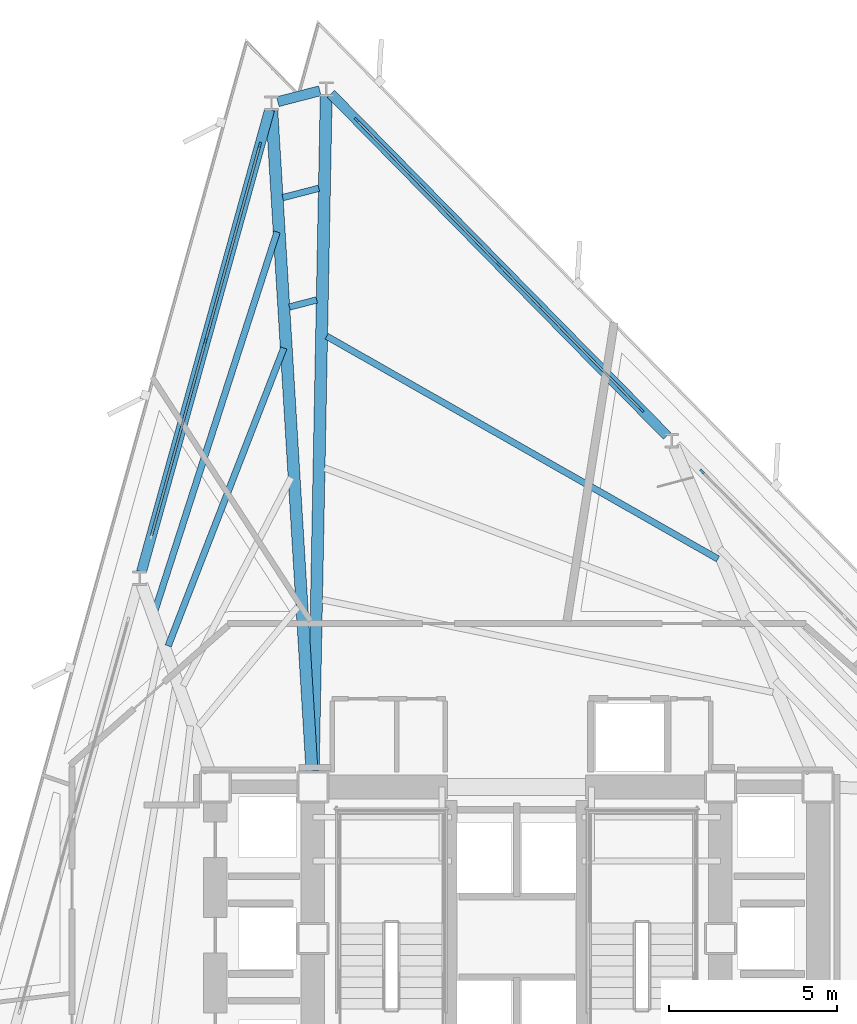
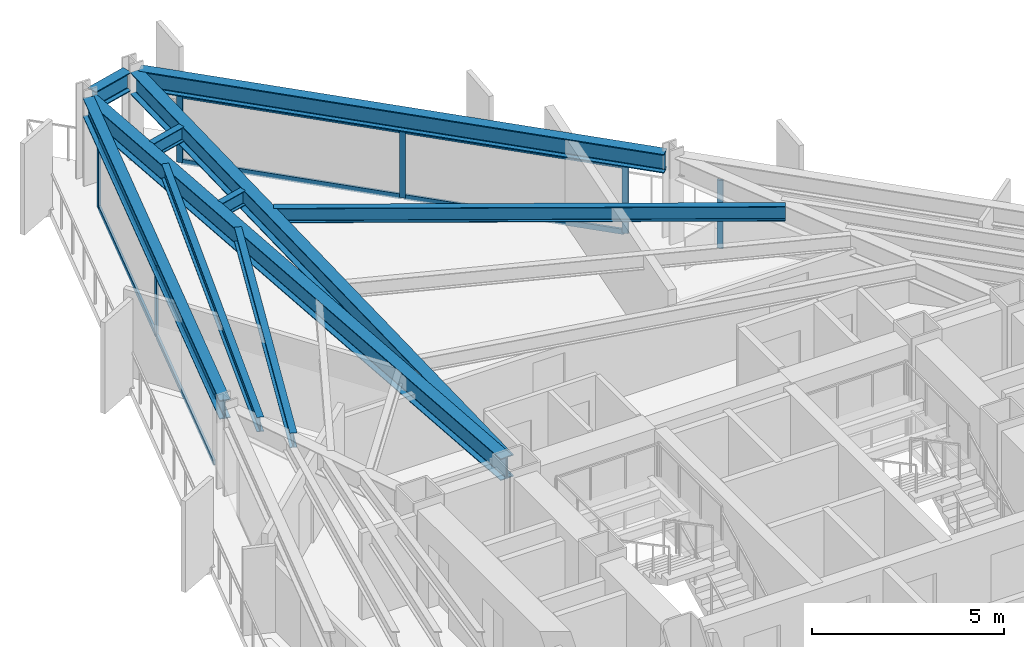
# One storey, part 5 of 11: 14 members, 10 beams, 3 elements without a shape of their own.
"""IFC4 building model written with IfcOpenShell, lengths in metres."""

from ifc_helpers import new_model, si_unit, direction, frame, origin, origin_2d, place, context, subcontext, project, spatial, rectangle, i_section, extrude, material, layer, layer_set, material_profile, profile_set, type_object, element, aggregate, save


model = new_model("IFC4")

# Units and contexts
model_context = context("Model", 3, precision=1e-05, world=origin(), true_north=direction((0.0, 1.0)))
body_context = subcontext(model_context, "Body", "Model", "MODEL_VIEW")
ifc_project = project(units=[si_unit("LENGTHUNIT", "METRE"), si_unit("AREAUNIT", "SQUARE_METRE"), si_unit("VOLUMEUNIT", "CUBIC_METRE"), si_unit("PLANEANGLEUNIT", "RADIAN"), si_unit("MASSUNIT", "GRAM", prefix="KILO")], contexts=[model_context])

# Site, building, storey
site_placement = place(None, origin())
site = spatial("IfcSite", under=ifc_project, at=site_placement, CompositionType="ELEMENT")
building_placement = place(site_placement, origin())
building = spatial("IfcBuilding", under=site, at=building_placement, Name="Rocaltana Carrier Exchange", CompositionType="ELEMENT")
storey_placement = place(building_placement, frame((0.0, 0.0, 94.719970703125)))
storey = spatial("IfcBuildingStorey", under=building, at=storey_placement, Name="L29", CompositionType="ELEMENT", Elevation=94.719970703125)

# Curtain wall, member
ifc_material_1 = material(Name="Aluminium 6063-T6", Category="aluminium")
ifc_layer = layer(ifc_material_1, 0.1650390625)
ifc_layer_set = layer_set([ifc_layer], Name="Aluminium 6063-T6")
curtain_wall_type = type_object("IfcCurtainWallType", Name="Lower-Mid Stepped Curtain Wall CW-02", PredefinedType="NOTDEFINED", material=ifc_layer_set)
curtain_wall_1_placement = place(storey_placement, origin())
curtain_wall_1 = element("IfcCurtainWall", 1, at=curtain_wall_1_placement, inside=storey, type_object=curtain_wall_type, Name="L29 CW-02 Run CW-L29-F1S2", PredefinedType="NOTDEFINED")
ifc_material_2 = material(Name="Aluminium 6063-T6", Category="aluminium")
ifc_material_profile_1 = material_profile(ifc_material_2, rectangle(XDim=0.06494140625, YDim=0.1650390625, at=origin_2d()), Name="AL-65X165")
ifc_profile_set_1 = profile_set([ifc_material_profile_1], Name="Aluminium 6063-T6")
member_type_1 = type_object("IfcMemberType", Name="CW-02 Mullion AL-65X165", PredefinedType="MULLION", material=ifc_profile_set_1)
member_1_placement = place(storey_placement, frame((5.503173828125, 13.8681640625, 0.0), z_axis=(0.0, 0.0, 1.0), x_axis=(-0.713244696676, -0.700915118017, 0.0)))
member_1 = element("IfcMember", 2, at=member_1_placement, type_object=member_type_1, Name="CW-02 mullion 3", PredefinedType="MULLION", context=body_context, shape_type="SweptSolid", body=[
    extrude(rectangle(XDim=0.06494140625, YDim=0.1650390625, at=origin_2d()), origin(), (0.0, 0.0, 1.0), 2.16796875),
])
aggregate(curtain_wall_1, [member_1])

# Curtain wall, members
curtain_wall_2_placement = place(storey_placement, origin())
curtain_wall_2 = element("IfcCurtainWall", 3, at=curtain_wall_2_placement, inside=storey, type_object=curtain_wall_type, Name="L29 CW-02 Run CW-L29-F1S3", PredefinedType="NOTDEFINED")
member_2_placement = place(storey_placement, frame((3.70556640625, 15.69775390625, 0.0), z_axis=(0.0, 0.0, 1.0), x_axis=(-0.713244767898, -0.700915045542, 0.0)))
member_2 = element("IfcMember", 4, at=member_2_placement, type_object=member_type_1, Name="CW-02 mullion 1", PredefinedType="MULLION", context=body_context, shape_type="SweptSolid", body=[
    extrude(rectangle(XDim=0.06494140625, YDim=0.1650390625, at=origin_2d()), origin(), (0.0, 0.0, 1.0), 2.16796875),
])
member_3_placement = place(storey_placement, frame((-0.52392578125, 20.001708984375, 0.0), z_axis=(0.0, 0.0, 1.0), x_axis=(-0.713244767898, -0.700915045542, 0.0)))
member_3 = element("IfcMember", 5, at=member_3_placement, type_object=member_type_1, Name="CW-02 mullion 2", PredefinedType="MULLION", context=body_context, shape_type="SweptSolid", body=[
    extrude(rectangle(XDim=0.06494140625, YDim=0.1650390625, at=origin_2d()), origin(), (0.0, 0.0, 1.0), 2.16796875),
])
member_4_placement = place(storey_placement, frame((-4.75341796875, 24.305419921875, 0.0), z_axis=(0.0, 0.0, 1.0), x_axis=(-0.713244767898, -0.700915045542, 0.0)))
member_4 = element("IfcMember", 6, at=member_4_placement, type_object=member_type_1, Name="CW-02 mullion 3", PredefinedType="MULLION", context=body_context, shape_type="SweptSolid", body=[
    extrude(rectangle(XDim=0.06494140625, YDim=0.1650390625, at=origin_2d()), origin(), (0.0, 0.0, 1.0), 2.16796875),
])

curtain_wall_3_placement = place(storey_placement, origin())
curtain_wall_3 = element("IfcCurtainWall", 7, at=curtain_wall_3_placement, inside=storey, type_object=curtain_wall_type, Name="L29 CW-02 Run CW-L29-F2S1", PredefinedType="NOTDEFINED")
member_5_placement = place(storey_placement, frame((-7.626220703125, 23.5625, 0.0), z_axis=(0.0, 0.0, 1.0), x_axis=(0.96362846453, -0.267245546918, 0.0)))
member_5 = element("IfcMember", 8, at=member_5_placement, type_object=member_type_1, Name="CW-02 mullion 1", PredefinedType="MULLION", context=body_context, shape_type="SweptSolid", body=[
    extrude(rectangle(XDim=0.06494140625, YDim=0.1650390625, at=origin_2d()), origin(), (0.0, 0.0, 1.0), 2.16796875),
])
member_6_placement = place(storey_placement, frame((-9.23876953125, 17.747802734375, 0.0), z_axis=(0.0, 0.0, 1.0), x_axis=(0.96362846453, -0.267245546918, 0.0)))
member_6 = element("IfcMember", 9, at=member_6_placement, type_object=member_type_1, Name="CW-02 mullion 2", PredefinedType="MULLION", context=body_context, shape_type="SweptSolid", body=[
    extrude(rectangle(XDim=0.06494140625, YDim=0.1650390625, at=origin_2d()), origin(), (0.0, 0.0, 1.0), 2.16796875),
])

# Member
ifc_material_3 = material(Name="Aluminium 6063-T6", Category="aluminium")
ifc_material_profile_2 = material_profile(ifc_material_3, rectangle(XDim=0.06494140625, YDim=0.1650390625, at=origin_2d()), Name="AL-65X165")
ifc_profile_set_2 = profile_set([ifc_material_profile_2], Name="Aluminium 6063-T6")
member_type_2 = type_object("IfcMemberType", Name="CW-02 Transom AL-65X165", PredefinedType="USERDEFINED", material=ifc_profile_set_2)
member_7_placement = place(storey_placement, frame((3.682861328125, 15.720947265625, 0.032470703125), z_axis=(-0.700924711343, 0.713235269058, 0.0), x_axis=(-0.713235269058, -0.700924711343, 0.0)))
member_7 = element("IfcMember", 10, at=member_7_placement, type_object=member_type_2, Name="CW-02 transom 1.1", ObjectType="TRANSOM", PredefinedType="USERDEFINED", context=body_context, shape_type="SweptSolid", body=[
    extrude(rectangle(XDim=0.06494140625, YDim=0.1650390625, at=origin_2d()), origin(), (0.0, 0.0, 1.0), 5.969482421875),
])

member_8_placement = place(storey_placement, frame((3.682861328125, 15.720947265625, 2.135498046875), z_axis=(-0.700924711343, 0.713235269058, 0.0), x_axis=(-0.713235269058, -0.700924711343, 0.0)))
member_8 = element("IfcMember", 11, at=member_8_placement, type_object=member_type_2, Name="CW-02 transom 1.2", ObjectType="TRANSOM", PredefinedType="USERDEFINED", context=body_context, shape_type="SweptSolid", body=[
    extrude(rectangle(XDim=0.06494140625, YDim=0.1650390625, at=origin_2d()), origin(), (0.0, 0.0, 1.0), 5.969482421875),
])

member_9_placement = place(storey_placement, frame((-0.546630859375, 20.02490234375, 0.032470703125), z_axis=(-0.700924352217, 0.713235621985, 0.0), x_axis=(-0.713235621985, -0.700924352217, 0.0)))
member_9 = element("IfcMember", 12, at=member_9_placement, type_object=member_type_2, Name="CW-02 transom 2.1", ObjectType="TRANSOM", PredefinedType="USERDEFINED", context=body_context, shape_type="SweptSolid", body=[
    extrude(rectangle(XDim=0.06494140625, YDim=0.1650390625, at=origin_2d()), origin(), (0.0, 0.0, 1.0), 5.968994140625),
])

member_10_placement = place(storey_placement, frame((-0.546630859375, 20.02490234375, 2.135498046875), z_axis=(-0.700924352217, 0.713235621985, 0.0), x_axis=(-0.713235621985, -0.700924352217, 0.0)))
member_10 = element("IfcMember", 13, at=member_10_placement, type_object=member_type_2, Name="CW-02 transom 2.2", ObjectType="TRANSOM", PredefinedType="USERDEFINED", context=body_context, shape_type="SweptSolid", body=[
    extrude(rectangle(XDim=0.06494140625, YDim=0.1650390625, at=origin_2d()), origin(), (0.0, 0.0, 1.0), 5.968994140625),
])

aggregate(curtain_wall_2, [member_2, member_3, member_4, member_7, member_8, member_9, member_10])

member_11_placement = place(storey_placement, frame((-7.634765625, 23.53125, 0.032470703125), z_axis=(-0.267274698809, -0.963620379287, 0.0), x_axis=(0.963620379287, -0.267274698809, 0.0)))
member_11 = element("IfcMember", 14, at=member_11_placement, type_object=member_type_2, Name="CW-02 transom 1.1", ObjectType="TRANSOM", PredefinedType="USERDEFINED", context=body_context, shape_type="SweptSolid", body=[
    extrude(rectangle(XDim=0.06494140625, YDim=0.1650390625, at=origin_2d()), origin(), (0.0, 0.0, 1.0), 5.96923828125),
])

member_12_placement = place(storey_placement, frame((-7.634765625, 23.53125, 2.135498046875), z_axis=(-0.267274698809, -0.963620379287, 0.0), x_axis=(0.963620379287, -0.267274698809, 0.0)))
member_12 = element("IfcMember", 15, at=member_12_placement, type_object=member_type_2, Name="CW-02 transom 1.2", ObjectType="TRANSOM", PredefinedType="USERDEFINED", context=body_context, shape_type="SweptSolid", body=[
    extrude(rectangle(XDim=0.06494140625, YDim=0.1650390625, at=origin_2d()), origin(), (0.0, 0.0, 1.0), 5.96923828125),
])

member_13_placement = place(storey_placement, frame((-9.24755859375, 17.716552734375, 0.032470703125), z_axis=(-0.267236720875, -0.963630912235, 0.0), x_axis=(0.963630912235, -0.267236720875, 0.0)))
member_13 = element("IfcMember", 16, at=member_13_placement, type_object=member_type_2, Name="CW-02 transom 2.1", ObjectType="TRANSOM", PredefinedType="USERDEFINED", context=body_context, shape_type="SweptSolid", body=[
    extrude(rectangle(XDim=0.06494140625, YDim=0.1650390625, at=origin_2d()), origin(), (0.0, 0.0, 1.0), 5.96923828125),
])

member_14_placement = place(storey_placement, frame((-9.24755859375, 17.716552734375, 2.135498046875), z_axis=(-0.267236720875, -0.963630912235, 0.0), x_axis=(0.963630912235, -0.267236720875, 0.0)))
member_14 = element("IfcMember", 17, at=member_14_placement, type_object=member_type_2, Name="CW-02 transom 2.2", ObjectType="TRANSOM", PredefinedType="USERDEFINED", context=body_context, shape_type="SweptSolid", body=[
    extrude(rectangle(XDim=0.06494140625, YDim=0.1650390625, at=origin_2d()), origin(), (0.0, 0.0, 1.0), 5.96923828125),
])

aggregate(curtain_wall_3, [member_5, member_6, member_11, member_12, member_13, member_14])

# Beams
ifc_material_4 = material(Name="Steel S355", Category="steel")
ifc_material_profile_3 = material_profile(ifc_material_4, i_section(OverallWidth=0.193115234375, OverallDepth=0.466064453125, WebThickness=0.011474609375, FlangeThickness=0.01904296875, FilletRadius=0.013916015625, at=origin_2d()), Name="W18X65")
ifc_profile_set_3 = profile_set([ifc_material_profile_3], Name="Steel S355")
beam_type_1 = type_object("IfcBeamType", Name="Floor Joist W18X65", PredefinedType="JOIST", material=ifc_profile_set_3)
beam_1_placement = place(storey_placement, frame((5.976318359375, 11.268798828125, 2.554931640625), z_axis=(-0.869038762024, 0.494744004613, 0.0), x_axis=(-0.494744004613, -0.869038762024, 0.0)))
element("IfcBeam", 18, at=beam_1_placement, inside=storey, type_object=beam_type_1, Name="FJ-L29-03-3", PredefinedType="JOIST", context=body_context, shape_type="SweptSolid", body=[
    extrude(i_section(OverallWidth=0.193115234375, OverallDepth=0.466064453125, WebThickness=0.011474609375, FlangeThickness=0.01904296875, FilletRadius=0.013916015625, at=origin_2d()), origin(), (0.0, 0.0, 1.0), 13.36962890625),
])
beam_2_placement = place(storey_placement, frame((-5.9375, 18.961181640625, 2.554931640625), z_axis=(-0.968135931974, -0.250425272727, 0.0), x_axis=(0.250425272727, -0.968135931974, 0.0)))
element("IfcBeam", 19, at=beam_2_placement, inside=storey, type_object=beam_type_1, Name="FJ-L29-04-3", PredefinedType="JOIST", context=body_context, shape_type="SweptSolid", body=[
    extrude(i_section(OverallWidth=0.193115234375, OverallDepth=0.466064453125, WebThickness=0.011474609375, FlangeThickness=0.01904296875, FilletRadius=0.013916015625, at=origin_2d()), origin(), (0.0, 0.0, 1.0), 0.83642578125),
])
beam_3_placement = place(storey_placement, frame((-5.873779296875, 22.2763671875, 2.554931640625), z_axis=(-0.968177342662, -0.25026512573, 0.0), x_axis=(0.25026512573, -0.968177342662, 0.0)))
element("IfcBeam", 20, at=beam_3_placement, inside=storey, type_object=beam_type_1, Name="FJ-L29-04-4", PredefinedType="JOIST", context=body_context, shape_type="SweptSolid", body=[
    extrude(i_section(OverallWidth=0.193115234375, OverallDepth=0.466064453125, WebThickness=0.011474609375, FlangeThickness=0.01904296875, FilletRadius=0.013916015625, at=origin_2d()), origin(), (0.0, 0.0, 1.0), 1.106201171875),
])
beam_4_placement = place(storey_placement, frame((-6.913818359375, 17.533935546875, 2.554931640625), z_axis=(-0.361784373261, -0.93226180189, 0.0), x_axis=(0.93226180189, -0.361784373261, 0.0)))
element("IfcBeam", 21, at=beam_4_placement, inside=storey, type_object=beam_type_1, Name="FJ-L29-05-3", PredefinedType="JOIST", context=body_context, shape_type="SweptSolid", body=[
    extrude(i_section(OverallWidth=0.193115234375, OverallDepth=0.466064453125, WebThickness=0.011474609375, FlangeThickness=0.01904296875, FilletRadius=0.013916015625, at=origin_2d()), origin(), (0.0, 0.0, 1.0), 9.48876953125),
])
beam_5_placement = place(storey_placement, frame((-7.114013671875, 20.9814453125, 2.554931640625), z_axis=(-0.306913359242, -0.951737458504, 0.0), x_axis=(0.951737458504, -0.306913359242, 0.0)))
element("IfcBeam", 22, at=beam_5_placement, inside=storey, type_object=beam_type_1, Name="FJ-L29-05-4", PredefinedType="JOIST", context=body_context, shape_type="SweptSolid", body=[
    extrude(i_section(OverallWidth=0.193115234375, OverallDepth=0.466064453125, WebThickness=0.011474609375, FlangeThickness=0.01904296875, FilletRadius=0.013916015625, at=origin_2d()), origin(), (0.0, 0.0, 1.0), 11.806396484375),
])
ifc_material_5 = material(Name="Steel S355", Category="steel")
ifc_material_profile_4 = material_profile(ifc_material_5, i_section(OverallWidth=0.35498046875, OverallDepth=0.695068359375, WebThickness=0.015380859375, FlangeThickness=0.02490234375, FilletRadius=0.01806640625, at=origin_2d()), Name="W27X146")
ifc_profile_set_4 = profile_set([ifc_material_profile_4], Name="Steel S355")
beam_type_2 = type_object("IfcBeamType", Name="Radial Girder W27X146", PredefinedType="BEAM", material=ifc_profile_set_4)
beam_6_placement = place(storey_placement, frame((-6.041015625, 4.966796875, 2.4404296875), z_axis=(0.019193756189, 0.999815782894, 0.0), x_axis=(-0.999815782894, 0.019193756189, 0.0)))
element("IfcBeam", 23, at=beam_6_placement, inside=storey, type_object=beam_type_2, Name="RG-L29-04", PredefinedType="BEAM", context=body_context, shape_type="SweptSolid", body=[
    extrude(i_section(OverallWidth=0.35498046875, OverallDepth=0.695068359375, WebThickness=0.015380859375, FlangeThickness=0.02490234375, FilletRadius=0.01806640625, at=origin_2d()), origin(), (0.0, 0.0, 1.0), 20.05908203125),
])
beam_7_placement = place(storey_placement, frame((-6.078369140625, 4.966064453125, 2.4404296875), z_axis=(-0.060654317938, 0.998158831908, 0.0), x_axis=(-0.998158831908, -0.060654317938, 0.0)))
element("IfcBeam", 24, at=beam_7_placement, inside=storey, type_object=beam_type_2, Name="RG-L29-05", PredefinedType="BEAM", context=body_context, shape_type="SweptSolid", body=[
    extrude(i_section(OverallWidth=0.35498046875, OverallDepth=0.695068359375, WebThickness=0.015380859375, FlangeThickness=0.02490234375, FilletRadius=0.01806640625, at=origin_2d()), origin(), (0.0, 0.0, 1.0), 19.670654296875),
])
ifc_material_6 = material(Name="Steel S355", Category="steel")
ifc_material_profile_5 = material_profile(ifc_material_6, i_section(OverallWidth=0.300048828125, OverallDepth=0.60009765625, WebThickness=0.015380859375, FlangeThickness=0.030029296875, FilletRadius=0.027099609375, at=origin_2d()), Name="HEB600")
ifc_profile_set_5 = profile_set([ifc_material_profile_5], Name="Steel S355")
beam_type_3 = type_object("IfcBeamType", Name="Spandrel Edge Beam HEB600", PredefinedType="SPANDREL", material=ifc_profile_set_5)
beam_8_placement = place(storey_placement, frame((4.465576171875, 14.92431640625, 2.488037109375), z_axis=(-0.700906560302, 0.713253106356, 0.0), x_axis=(-0.713253106356, -0.700906560302, 0.0)))
element("IfcBeam", 25, at=beam_8_placement, inside=storey, type_object=beam_type_3, Name="SP-L29-03", PredefinedType="SPANDREL", context=body_context, shape_type="SweptSolid", body=[
    extrude(i_section(OverallWidth=0.300048828125, OverallDepth=0.60009765625, WebThickness=0.015380859375, FlangeThickness=0.030029296875, FilletRadius=0.027099609375, at=origin_2d()), origin(), (0.0, 0.0, 1.0), 14.2373046875),
])
beam_9_placement = place(storey_placement, frame((-5.843994140625, 25.170654296875, 2.488037109375), z_axis=(-0.968138202554, -0.250416494576, 0.0), x_axis=(0.250416494576, -0.968138202554, 0.0)))
element("IfcBeam", 26, at=beam_9_placement, inside=storey, type_object=beam_type_3, Name="SP-L29-04", PredefinedType="SPANDREL", context=body_context, shape_type="SweptSolid", body=[
    extrude(i_section(OverallWidth=0.300048828125, OverallDepth=0.60009765625, WebThickness=0.015380859375, FlangeThickness=0.030029296875, FilletRadius=0.027099609375, at=origin_2d()), origin(), (0.0, 0.0, 1.0), 1.288818359375),
])
beam_10_placement = place(storey_placement, frame((-7.33642578125, 24.607421875, 2.488037109375), z_axis=(-0.267234351395, -0.963631569343, 0.0), x_axis=(0.963631569343, -0.267234351395, 0.0)))
element("IfcBeam", 27, at=beam_10_placement, inside=storey, type_object=beam_type_3, Name="SP-L29-05", PredefinedType="SPANDREL", context=body_context, shape_type="SweptSolid", body=[
    extrude(i_section(OverallWidth=0.300048828125, OverallDepth=0.60009765625, WebThickness=0.015380859375, FlangeThickness=0.030029296875, FilletRadius=0.027099609375, at=origin_2d()), origin(), (0.0, 0.0, 1.0), 14.2373046875),
])

save(model, "model.ifc")
